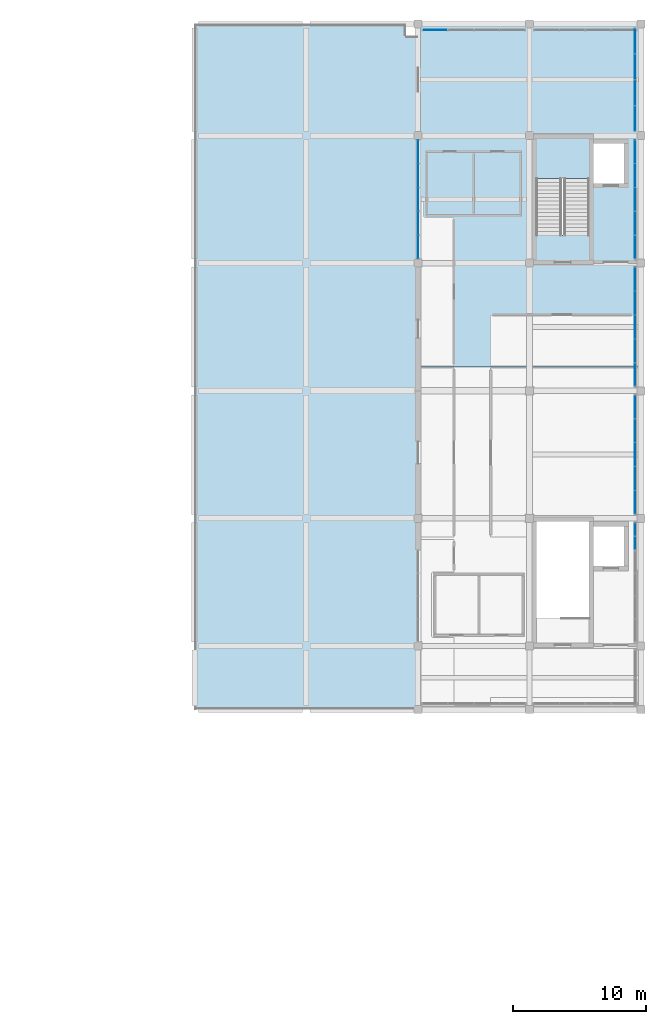
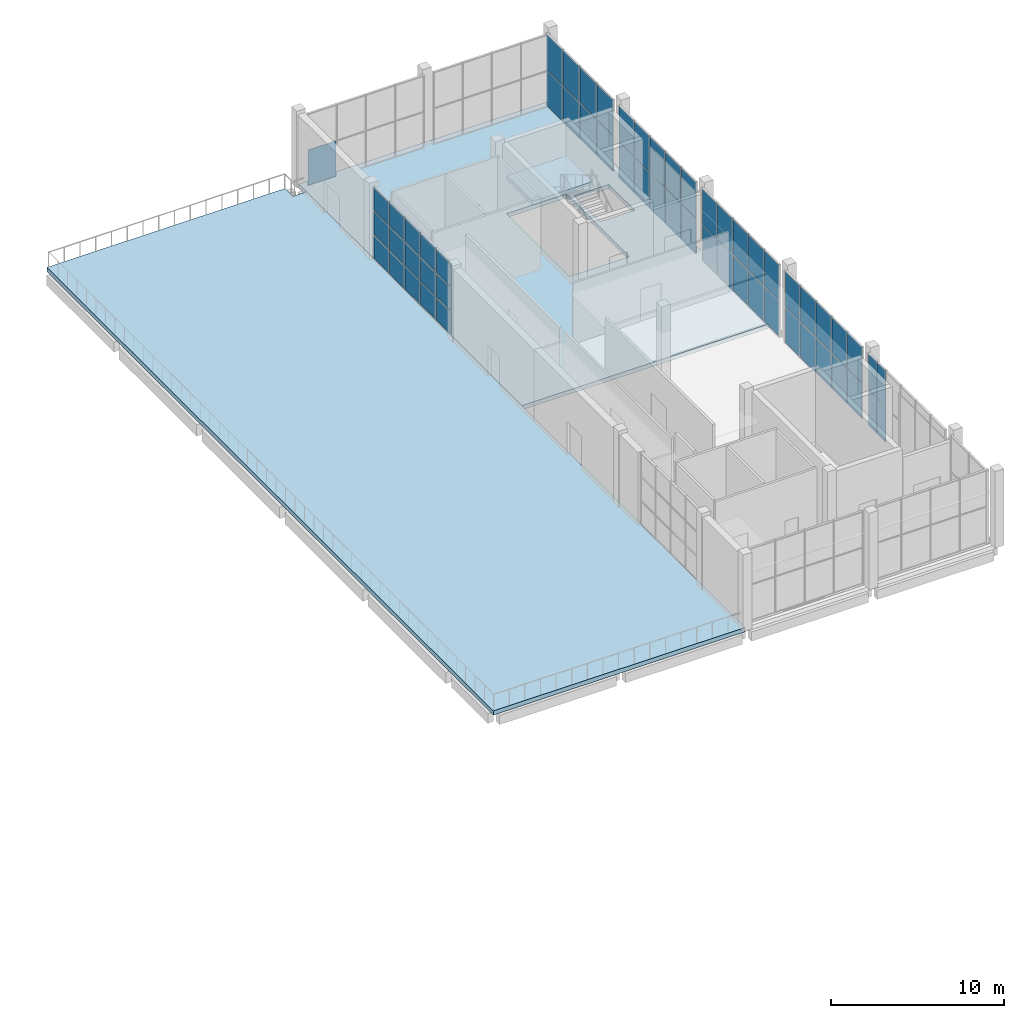
# One storey, part 9 of 15: 58 plates, 3 slabs, 8 elements without a shape of their own.
"""IFC4 building model written with IfcOpenShell, lengths in metres."""

from ifc_helpers import new_model, si_unit, direction, frame, origin, origin_2d, place, context, subcontext, project, spatial, polyline, rectangle, outline, extrude, material, layer, layer_set, type_object, element, aggregate, save


model = new_model("IFC4")

# Units and contexts
model_context = context("Model", 3, precision=1e-05, world=origin(), true_north=direction((0.0, 1.0)))
body_context = subcontext(model_context, "Body", "Model", "MODEL_VIEW")
ifc_project = project(units=[si_unit("LENGTHUNIT", "METRE"), si_unit("AREAUNIT", "SQUARE_METRE"), si_unit("VOLUMEUNIT", "CUBIC_METRE"), si_unit("PLANEANGLEUNIT", "RADIAN"), si_unit("MASSUNIT", "GRAM", prefix="KILO")], contexts=[model_context])

# Site, building, storey
site_placement = place(None, origin())
site = spatial("IfcSite", under=ifc_project, at=site_placement, CompositionType="ELEMENT")
building_placement = place(site_placement, origin())
building = spatial("IfcBuilding", under=site, at=building_placement, Name="Shalvenor Court Art Gallery", CompositionType="ELEMENT")
storey_placement = place(building_placement, frame((0.0, 0.0, 27.0)))
storey = spatial("IfcBuildingStorey", under=building, at=storey_placement, Name="L05", CompositionType="ELEMENT", Elevation=27.0)

# Curtain wall, plates
ifc_material_1 = material(Name="Anodised aluminium and low-iron glass curtain wall", Category="aluminium")
curtain_wall_type_1 = type_object("IfcCurtainWallType", Name="CW-5x3-90-51-122", PredefinedType="USERDEFINED", material=ifc_material_1)
curtain_wall_1_placement = place(storey_placement, origin())
curtain_wall_1 = element("IfcCurtainWall", 1, at=curtain_wall_1_placement, inside=storey, type_object=curtain_wall_type_1, Name="L05 V1 Curtain Wall CW-L05-052", ObjectType="CURTAIN WALL", PredefinedType="USERDEFINED")
ifc_material_2 = material(Name="Low-iron triple-silver solar gallery glazing IGU", Category="glass")
ifc_layer_1 = layer(ifc_material_2, 0.031982421875, Name="Low-iron triple-silver solar gallery glazing IGU")
ifc_layer_set_1 = layer_set([ifc_layer_1], Name="Low-iron triple-silver solar gallery glazing IGU")
plate_type_1 = type_object("IfcPlateType", Name="CWP-02", PredefinedType="CURTAIN_PANEL", material=ifc_layer_set_1)
plate_1_placement = place(storey_placement, frame((159.60009765625, 80.416259765625, 0.06494140625), z_axis=(0.0, 0.0, 1.0), x_axis=(0.0, 1.0, 0.0)))
plate_1 = element("IfcPlate", 2, at=plate_1_placement, type_object=plate_type_1, Name="CW-5x3-90-51-122 panel 1.1", PredefinedType="CURTAIN_PANEL", context=body_context, shape_type="SweptSolid", body=[
    extrude(rectangle(XDim=1.702392578125, YDim=0.031982421875, at=origin_2d()), origin(), (0.0, 0.0, 1.0), 1.61572265625),
])
plate_2_placement = place(storey_placement, frame((159.60009765625, 80.416259765625, 1.745849609375), z_axis=(0.0, 0.0, 1.0), x_axis=(0.0, 1.0, 0.0)))
plate_2 = element("IfcPlate", 3, at=plate_2_placement, type_object=plate_type_1, Name="CW-5x3-90-51-122 panel 1.2", PredefinedType="CURTAIN_PANEL", context=body_context, shape_type="SweptSolid", body=[
    extrude(rectangle(XDim=1.702392578125, YDim=0.031982421875, at=origin_2d()), origin(), (0.0, 0.0, 1.0), 1.6484375),
])
plate_3_placement = place(storey_placement, frame((159.60009765625, 80.416259765625, 3.459228515625), z_axis=(0.0, 0.0, 1.0), x_axis=(0.0, 1.0, 0.0)))
plate_3 = element("IfcPlate", 4, at=plate_3_placement, type_object=plate_type_1, Name="CW-5x3-90-51-122 panel 1.3", PredefinedType="CURTAIN_PANEL", context=body_context, shape_type="SweptSolid", body=[
    extrude(rectangle(XDim=1.702392578125, YDim=0.031982421875, at=origin_2d()), origin(), (0.0, 0.0, 1.0), 1.61572265625),
])
plate_4_placement = place(storey_placement, frame((159.60009765625, 82.199951171875, 0.06494140625), z_axis=(0.0, 0.0, 1.0), x_axis=(0.0, 1.0, 0.0)))
plate_4 = element("IfcPlate", 5, at=plate_4_placement, type_object=plate_type_1, Name="CW-5x3-90-51-122 panel 2.1", PredefinedType="CURTAIN_PANEL", context=body_context, shape_type="SweptSolid", body=[
    extrude(rectangle(XDim=1.735107421875, YDim=0.031982421875, at=origin_2d()), origin(), (0.0, 0.0, 1.0), 1.61572265625),
])
plate_5_placement = place(storey_placement, frame((159.60009765625, 82.199951171875, 1.745849609375), z_axis=(0.0, 0.0, 1.0), x_axis=(0.0, 1.0, 0.0)))
plate_5 = element("IfcPlate", 6, at=plate_5_placement, type_object=plate_type_1, Name="CW-5x3-90-51-122 panel 2.2", PredefinedType="CURTAIN_PANEL", context=body_context, shape_type="SweptSolid", body=[
    extrude(rectangle(XDim=1.735107421875, YDim=0.031982421875, at=origin_2d()), origin(), (0.0, 0.0, 1.0), 1.6484375),
])
plate_6_placement = place(storey_placement, frame((159.60009765625, 82.199951171875, 3.459228515625), z_axis=(0.0, 0.0, 1.0), x_axis=(0.0, 1.0, 0.0)))
plate_6 = element("IfcPlate", 7, at=plate_6_placement, type_object=plate_type_1, Name="CW-5x3-90-51-122 panel 2.3", PredefinedType="CURTAIN_PANEL", context=body_context, shape_type="SweptSolid", body=[
    extrude(rectangle(XDim=1.735107421875, YDim=0.031982421875, at=origin_2d()), origin(), (0.0, 0.0, 1.0), 1.61572265625),
])
plate_7_placement = place(storey_placement, frame((159.60009765625, 84.0, 0.06494140625), z_axis=(0.0, 0.0, 1.0), x_axis=(0.0, 1.0, 0.0)))
plate_7 = element("IfcPlate", 8, at=plate_7_placement, type_object=plate_type_1, Name="CW-5x3-90-51-122 panel 3.1", PredefinedType="CURTAIN_PANEL", context=body_context, shape_type="SweptSolid", body=[
    extrude(rectangle(XDim=1.735107421875, YDim=0.031982421875, at=origin_2d()), origin(), (0.0, 0.0, 1.0), 1.61572265625),
])
plate_8_placement = place(storey_placement, frame((159.60009765625, 84.0, 1.745849609375), z_axis=(0.0, 0.0, 1.0), x_axis=(0.0, 1.0, 0.0)))
plate_8 = element("IfcPlate", 9, at=plate_8_placement, type_object=plate_type_1, Name="CW-5x3-90-51-122 panel 3.2", PredefinedType="CURTAIN_PANEL", context=body_context, shape_type="SweptSolid", body=[
    extrude(rectangle(XDim=1.735107421875, YDim=0.031982421875, at=origin_2d()), origin(), (0.0, 0.0, 1.0), 1.6484375),
])
plate_9_placement = place(storey_placement, frame((159.60009765625, 84.0, 3.459228515625), z_axis=(0.0, 0.0, 1.0), x_axis=(0.0, 1.0, 0.0)))
plate_9 = element("IfcPlate", 10, at=plate_9_placement, type_object=plate_type_1, Name="CW-5x3-90-51-122 panel 3.3", PredefinedType="CURTAIN_PANEL", context=body_context, shape_type="SweptSolid", body=[
    extrude(rectangle(XDim=1.735107421875, YDim=0.031982421875, at=origin_2d()), origin(), (0.0, 0.0, 1.0), 1.61572265625),
])
plate_10_placement = place(storey_placement, frame((159.60009765625, 85.800048828125, 0.06494140625), z_axis=(0.0, 0.0, 1.0), x_axis=(0.0, 1.0, 0.0)))
plate_10 = element("IfcPlate", 11, at=plate_10_placement, type_object=plate_type_1, Name="CW-5x3-90-51-122 panel 4.1", PredefinedType="CURTAIN_PANEL", context=body_context, shape_type="SweptSolid", body=[
    extrude(rectangle(XDim=1.735107421875, YDim=0.031982421875, at=origin_2d()), origin(), (0.0, 0.0, 1.0), 1.61572265625),
])
plate_11_placement = place(storey_placement, frame((159.60009765625, 85.800048828125, 1.745849609375), z_axis=(0.0, 0.0, 1.0), x_axis=(0.0, 1.0, 0.0)))
plate_11 = element("IfcPlate", 12, at=plate_11_placement, type_object=plate_type_1, Name="CW-5x3-90-51-122 panel 4.2", PredefinedType="CURTAIN_PANEL", context=body_context, shape_type="SweptSolid", body=[
    extrude(rectangle(XDim=1.735107421875, YDim=0.031982421875, at=origin_2d()), origin(), (0.0, 0.0, 1.0), 1.6484375),
])
plate_12_placement = place(storey_placement, frame((159.60009765625, 85.800048828125, 3.459228515625), z_axis=(0.0, 0.0, 1.0), x_axis=(0.0, 1.0, 0.0)))
plate_12 = element("IfcPlate", 13, at=plate_12_placement, type_object=plate_type_1, Name="CW-5x3-90-51-122 panel 4.3", PredefinedType="CURTAIN_PANEL", context=body_context, shape_type="SweptSolid", body=[
    extrude(rectangle(XDim=1.735107421875, YDim=0.031982421875, at=origin_2d()), origin(), (0.0, 0.0, 1.0), 1.61572265625),
])
plate_13_placement = place(storey_placement, frame((159.60009765625, 87.583740234375, 0.06494140625), z_axis=(0.0, 0.0, 1.0), x_axis=(0.0, 1.0, 0.0)))
plate_13 = element("IfcPlate", 14, at=plate_13_placement, type_object=plate_type_1, Name="CW-5x3-90-51-122 panel 5.1", PredefinedType="CURTAIN_PANEL", context=body_context, shape_type="SweptSolid", body=[
    extrude(rectangle(XDim=1.702392578125, YDim=0.031982421875, at=origin_2d()), origin(), (0.0, 0.0, 1.0), 1.61572265625),
])
plate_14_placement = place(storey_placement, frame((159.60009765625, 87.583740234375, 1.745849609375), z_axis=(0.0, 0.0, 1.0), x_axis=(0.0, 1.0, 0.0)))
plate_14 = element("IfcPlate", 15, at=plate_14_placement, type_object=plate_type_1, Name="CW-5x3-90-51-122 panel 5.2", PredefinedType="CURTAIN_PANEL", context=body_context, shape_type="SweptSolid", body=[
    extrude(rectangle(XDim=1.702392578125, YDim=0.031982421875, at=origin_2d()), origin(), (0.0, 0.0, 1.0), 1.6484375),
])
plate_15_placement = place(storey_placement, frame((159.60009765625, 87.583740234375, 3.459228515625), z_axis=(0.0, 0.0, 1.0), x_axis=(0.0, 1.0, 0.0)))
plate_15 = element("IfcPlate", 16, at=plate_15_placement, type_object=plate_type_1, Name="CW-5x3-90-51-122 panel 5.3", PredefinedType="CURTAIN_PANEL", context=body_context, shape_type="SweptSolid", body=[
    extrude(rectangle(XDim=1.702392578125, YDim=0.031982421875, at=origin_2d()), origin(), (0.0, 0.0, 1.0), 1.61572265625),
])
aggregate(curtain_wall_1, [plate_1, plate_2, plate_3, plate_4, plate_5, plate_6, plate_7, plate_8, plate_9, plate_10, plate_11, plate_12, plate_13, plate_14, plate_15])

# Curtain wall, plate
ifc_material_3 = material(Name="Anodised aluminium and low-iron glass curtain wall", Category="aluminium")
curtain_wall_type_2 = type_object("IfcCurtainWallType", Name="CW-CLR-4-78", PredefinedType="USERDEFINED", material=ifc_material_3)
curtain_wall_2_placement = place(storey_placement, origin())
curtain_wall_2 = element("IfcCurtainWall", 17, at=curtain_wall_2_placement, inside=storey, type_object=curtain_wall_type_2, Name="L05 Dark Clerestory Curtain Wall CW-L05-040", ObjectType="CURTAIN WALL", PredefinedType="USERDEFINED")
ifc_material_4 = material(Name="Dark bronze fritted clerestory glazing IGU", Category="glass")
ifc_layer_2 = layer(ifc_material_4, 0.035888671875, Name="Dark bronze fritted clerestory glazing IGU")
ifc_layer_set_2 = layer_set([ifc_layer_2], Name="Dark bronze fritted clerestory glazing IGU")
plate_type_2 = type_object("IfcPlateType", Name="CWP-03", PredefinedType="CURTAIN_PANEL", material=ifc_layer_set_2)
plate_16_placement = place(storey_placement, frame((160.889892578125, 96.75, 0.05517578125), z_axis=(0.0, 0.0, 1.0), x_axis=(1.0, 0.0, 0.0)))
plate_16 = element("IfcPlate", 18, at=plate_16_placement, type_object=plate_type_2, Name="CW-CLR-4-78 panel 1.1", PredefinedType="CURTAIN_PANEL", context=body_context, shape_type="SweptSolid", body=[
    extrude(rectangle(XDim=1.860107421875, YDim=0.035888671875, at=origin_2d()), origin(), (0.0, 0.0, 1.0), 2.487548828125),
])
aggregate(curtain_wall_2, [plate_16])

# Curtain wall, plates
curtain_wall_3_placement = place(storey_placement, origin())
curtain_wall_3 = element("IfcCurtainWall", 19, at=curtain_wall_3_placement, inside=storey, type_object=curtain_wall_type_2, Name="L05 Dark Clerestory Curtain Wall CW-L05-042", ObjectType="CURTAIN WALL", PredefinedType="USERDEFINED")
plate_17_placement = place(storey_placement, frame((175.949951171875, 95.909912109375, 0.05517578125), z_axis=(0.0, 0.0, 1.0), x_axis=(0.0, -1.0, 0.0)))
plate_17 = element("IfcPlate", 20, at=plate_17_placement, type_object=plate_type_2, Name="CW-CLR-4-78 panel 1.1", PredefinedType="CURTAIN_PANEL", context=body_context, shape_type="SweptSolid", body=[
    extrude(rectangle(XDim=1.860107421875, YDim=0.035888671875, at=origin_2d()), origin(), (0.0, 0.0, 1.0), 2.487548828125),
])
plate_18_placement = place(storey_placement, frame((175.949951171875, 95.909912109375, 2.59765625), z_axis=(0.0, 0.0, 1.0), x_axis=(0.0, -1.0, 0.0)))
plate_18 = element("IfcPlate", 21, at=plate_18_placement, type_object=plate_type_2, Name="CW-CLR-4-78 panel 1.2", PredefinedType="CURTAIN_PANEL", context=body_context, shape_type="SweptSolid", body=[
    extrude(rectangle(XDim=1.860107421875, YDim=0.035888671875, at=origin_2d()), origin(), (0.0, 0.0, 1.0), 2.487548828125),
])
plate_19_placement = place(storey_placement, frame((175.949951171875, 93.97509765625, 0.05517578125), z_axis=(0.0, 0.0, 1.0), x_axis=(0.0, -1.0, 0.0)))
plate_19 = element("IfcPlate", 22, at=plate_19_placement, type_object=plate_type_2, Name="CW-CLR-4-78 panel 2.1", PredefinedType="CURTAIN_PANEL", context=body_context, shape_type="SweptSolid", body=[
    extrude(rectangle(XDim=1.889892578125, YDim=0.035888671875, at=origin_2d()), origin(), (0.0, 0.0, 1.0), 2.487548828125),
])
plate_20_placement = place(storey_placement, frame((175.949951171875, 93.97509765625, 2.59765625), z_axis=(0.0, 0.0, 1.0), x_axis=(0.0, -1.0, 0.0)))
plate_20 = element("IfcPlate", 23, at=plate_20_placement, type_object=plate_type_2, Name="CW-CLR-4-78 panel 2.2", PredefinedType="CURTAIN_PANEL", context=body_context, shape_type="SweptSolid", body=[
    extrude(rectangle(XDim=1.889892578125, YDim=0.035888671875, at=origin_2d()), origin(), (0.0, 0.0, 1.0), 2.487548828125),
])
plate_21_placement = place(storey_placement, frame((175.949951171875, 92.02490234375, 0.05517578125), z_axis=(0.0, 0.0, 1.0), x_axis=(0.0, -1.0, 0.0)))
plate_21 = element("IfcPlate", 24, at=plate_21_placement, type_object=plate_type_2, Name="CW-CLR-4-78 panel 3.1", PredefinedType="CURTAIN_PANEL", context=body_context, shape_type="SweptSolid", body=[
    extrude(rectangle(XDim=1.889892578125, YDim=0.035888671875, at=origin_2d()), origin(), (0.0, 0.0, 1.0), 2.487548828125),
])
plate_22_placement = place(storey_placement, frame((175.949951171875, 92.02490234375, 2.59765625), z_axis=(0.0, 0.0, 1.0), x_axis=(0.0, -1.0, 0.0)))
plate_22 = element("IfcPlate", 25, at=plate_22_placement, type_object=plate_type_2, Name="CW-CLR-4-78 panel 3.2", PredefinedType="CURTAIN_PANEL", context=body_context, shape_type="SweptSolid", body=[
    extrude(rectangle(XDim=1.889892578125, YDim=0.035888671875, at=origin_2d()), origin(), (0.0, 0.0, 1.0), 2.487548828125),
])
plate_23_placement = place(storey_placement, frame((175.949951171875, 90.090087890625, 0.05517578125), z_axis=(0.0, 0.0, 1.0), x_axis=(0.0, -1.0, 0.0)))
plate_23 = element("IfcPlate", 26, at=plate_23_placement, type_object=plate_type_2, Name="CW-CLR-4-78 panel 4.1", PredefinedType="CURTAIN_PANEL", context=body_context, shape_type="SweptSolid", body=[
    extrude(rectangle(XDim=1.860107421875, YDim=0.035888671875, at=origin_2d()), origin(), (0.0, 0.0, 1.0), 2.487548828125),
])
plate_24_placement = place(storey_placement, frame((175.949951171875, 90.090087890625, 2.59765625), z_axis=(0.0, 0.0, 1.0), x_axis=(0.0, -1.0, 0.0)))
plate_24 = element("IfcPlate", 27, at=plate_24_placement, type_object=plate_type_2, Name="CW-CLR-4-78 panel 4.2", PredefinedType="CURTAIN_PANEL", context=body_context, shape_type="SweptSolid", body=[
    extrude(rectangle(XDim=1.860107421875, YDim=0.035888671875, at=origin_2d()), origin(), (0.0, 0.0, 1.0), 2.487548828125),
])
aggregate(curtain_wall_3, [plate_17, plate_18, plate_19, plate_20, plate_21, plate_22, plate_23, plate_24])

ifc_material_5 = material(Name="Anodised aluminium and low-iron glass curtain wall", Category="aluminium")
curtain_wall_type_3 = type_object("IfcCurtainWallType", Name="CW-CLR-5-90", PredefinedType="USERDEFINED", material=ifc_material_5)
curtain_wall_4_placement = place(storey_placement, origin())
curtain_wall_4 = element("IfcCurtainWall", 28, at=curtain_wall_4_placement, inside=storey, type_object=curtain_wall_type_3, Name="L05 Dark Clerestory Curtain Wall CW-L05-043", ObjectType="CURTAIN WALL", PredefinedType="USERDEFINED")
plate_25_placement = place(storey_placement, frame((175.949951171875, 87.5849609375, 0.05517578125), z_axis=(0.0, 0.0, 1.0), x_axis=(0.0, -1.0, 0.0)))
plate_25 = element("IfcPlate", 29, at=plate_25_placement, type_object=plate_type_2, Name="CW-CLR-5-90 panel 1.1", PredefinedType="CURTAIN_PANEL", context=body_context, shape_type="SweptSolid", body=[
    extrude(rectangle(XDim=1.7099609375, YDim=0.035888671875, at=origin_2d()), origin(), (0.0, 0.0, 1.0), 2.487548828125),
])
plate_26_placement = place(storey_placement, frame((175.949951171875, 87.5849609375, 2.59765625), z_axis=(0.0, 0.0, 1.0), x_axis=(0.0, -1.0, 0.0)))
plate_26 = element("IfcPlate", 30, at=plate_26_placement, type_object=plate_type_2, Name="CW-CLR-5-90 panel 1.2", PredefinedType="CURTAIN_PANEL", context=body_context, shape_type="SweptSolid", body=[
    extrude(rectangle(XDim=1.7099609375, YDim=0.035888671875, at=origin_2d()), origin(), (0.0, 0.0, 1.0), 2.487548828125),
])
plate_27_placement = place(storey_placement, frame((175.949951171875, 85.800048828125, 0.05517578125), z_axis=(0.0, 0.0, 1.0), x_axis=(0.0, -1.0, 0.0)))
plate_27 = element("IfcPlate", 31, at=plate_27_placement, type_object=plate_type_2, Name="CW-CLR-5-90 panel 2.1", PredefinedType="CURTAIN_PANEL", context=body_context, shape_type="SweptSolid", body=[
    extrude(rectangle(XDim=1.739990234375, YDim=0.035888671875, at=origin_2d()), origin(), (0.0, 0.0, 1.0), 2.487548828125),
])
plate_28_placement = place(storey_placement, frame((175.949951171875, 85.800048828125, 2.59765625), z_axis=(0.0, 0.0, 1.0), x_axis=(0.0, -1.0, 0.0)))
plate_28 = element("IfcPlate", 32, at=plate_28_placement, type_object=plate_type_2, Name="CW-CLR-5-90 panel 2.2", PredefinedType="CURTAIN_PANEL", context=body_context, shape_type="SweptSolid", body=[
    extrude(rectangle(XDim=1.739990234375, YDim=0.035888671875, at=origin_2d()), origin(), (0.0, 0.0, 1.0), 2.487548828125),
])
plate_29_placement = place(storey_placement, frame((175.949951171875, 84.0, 0.05517578125), z_axis=(0.0, 0.0, 1.0), x_axis=(0.0, -1.0, 0.0)))
plate_29 = element("IfcPlate", 33, at=plate_29_placement, type_object=plate_type_2, Name="CW-CLR-5-90 panel 3.1", PredefinedType="CURTAIN_PANEL", context=body_context, shape_type="SweptSolid", body=[
    extrude(rectangle(XDim=1.739990234375, YDim=0.035888671875, at=origin_2d()), origin(), (0.0, 0.0, 1.0), 2.487548828125),
])
plate_30_placement = place(storey_placement, frame((175.949951171875, 84.0, 2.59765625), z_axis=(0.0, 0.0, 1.0), x_axis=(0.0, -1.0, 0.0)))
plate_30 = element("IfcPlate", 34, at=plate_30_placement, type_object=plate_type_2, Name="CW-CLR-5-90 panel 3.2", PredefinedType="CURTAIN_PANEL", context=body_context, shape_type="SweptSolid", body=[
    extrude(rectangle(XDim=1.739990234375, YDim=0.035888671875, at=origin_2d()), origin(), (0.0, 0.0, 1.0), 2.487548828125),
])
plate_31_placement = place(storey_placement, frame((175.949951171875, 82.199951171875, 0.05517578125), z_axis=(0.0, 0.0, 1.0), x_axis=(0.0, -1.0, 0.0)))
plate_31 = element("IfcPlate", 35, at=plate_31_placement, type_object=plate_type_2, Name="CW-CLR-5-90 panel 4.1", PredefinedType="CURTAIN_PANEL", context=body_context, shape_type="SweptSolid", body=[
    extrude(rectangle(XDim=1.739990234375, YDim=0.035888671875, at=origin_2d()), origin(), (0.0, 0.0, 1.0), 2.487548828125),
])
plate_32_placement = place(storey_placement, frame((175.949951171875, 82.199951171875, 2.59765625), z_axis=(0.0, 0.0, 1.0), x_axis=(0.0, -1.0, 0.0)))
plate_32 = element("IfcPlate", 36, at=plate_32_placement, type_object=plate_type_2, Name="CW-CLR-5-90 panel 4.2", PredefinedType="CURTAIN_PANEL", context=body_context, shape_type="SweptSolid", body=[
    extrude(rectangle(XDim=1.739990234375, YDim=0.035888671875, at=origin_2d()), origin(), (0.0, 0.0, 1.0), 2.487548828125),
])
plate_33_placement = place(storey_placement, frame((175.949951171875, 80.4150390625, 0.05517578125), z_axis=(0.0, 0.0, 1.0), x_axis=(0.0, -1.0, 0.0)))
plate_33 = element("IfcPlate", 37, at=plate_33_placement, type_object=plate_type_2, Name="CW-CLR-5-90 panel 5.1", PredefinedType="CURTAIN_PANEL", context=body_context, shape_type="SweptSolid", body=[
    extrude(rectangle(XDim=1.7099609375, YDim=0.035888671875, at=origin_2d()), origin(), (0.0, 0.0, 1.0), 2.487548828125),
])
plate_34_placement = place(storey_placement, frame((175.949951171875, 80.4150390625, 2.59765625), z_axis=(0.0, 0.0, 1.0), x_axis=(0.0, -1.0, 0.0)))
plate_34 = element("IfcPlate", 38, at=plate_34_placement, type_object=plate_type_2, Name="CW-CLR-5-90 panel 5.2", PredefinedType="CURTAIN_PANEL", context=body_context, shape_type="SweptSolid", body=[
    extrude(rectangle(XDim=1.7099609375, YDim=0.035888671875, at=origin_2d()), origin(), (0.0, 0.0, 1.0), 2.487548828125),
])
aggregate(curtain_wall_4, [plate_25, plate_26, plate_27, plate_28, plate_29, plate_30, plate_31, plate_32, plate_33, plate_34])

curtain_wall_5_placement = place(storey_placement, origin())
curtain_wall_5 = element("IfcCurtainWall", 39, at=curtain_wall_5_placement, inside=storey, type_object=curtain_wall_type_3, Name="L05 Dark Clerestory Curtain Wall CW-L05-044", ObjectType="CURTAIN WALL", PredefinedType="USERDEFINED")
plate_35_placement = place(storey_placement, frame((175.949951171875, 77.985107421875, 0.05517578125), z_axis=(0.0, 0.0, 1.0), x_axis=(0.0, -1.0, 0.0)))
plate_35 = element("IfcPlate", 40, at=plate_35_placement, type_object=plate_type_2, Name="CW-CLR-5-90 panel 1.1", PredefinedType="CURTAIN_PANEL", context=body_context, shape_type="SweptSolid", body=[
    extrude(rectangle(XDim=1.7099609375, YDim=0.035888671875, at=origin_2d()), origin(), (0.0, 0.0, 1.0), 2.487548828125),
])
plate_36_placement = place(storey_placement, frame((175.949951171875, 77.985107421875, 2.59765625), z_axis=(0.0, 0.0, 1.0), x_axis=(0.0, -1.0, 0.0)))
plate_36 = element("IfcPlate", 41, at=plate_36_placement, type_object=plate_type_2, Name="CW-CLR-5-90 panel 1.2", PredefinedType="CURTAIN_PANEL", context=body_context, shape_type="SweptSolid", body=[
    extrude(rectangle(XDim=1.7099609375, YDim=0.035888671875, at=origin_2d()), origin(), (0.0, 0.0, 1.0), 2.487548828125),
])
plate_37_placement = place(storey_placement, frame((175.949951171875, 76.199951171875, 0.05517578125), z_axis=(0.0, 0.0, 1.0), x_axis=(0.0, -1.0, 0.0)))
plate_37 = element("IfcPlate", 42, at=plate_37_placement, type_object=plate_type_2, Name="CW-CLR-5-90 panel 2.1", PredefinedType="CURTAIN_PANEL", context=body_context, shape_type="SweptSolid", body=[
    extrude(rectangle(XDim=1.739990234375, YDim=0.035888671875, at=origin_2d()), origin(), (0.0, 0.0, 1.0), 2.487548828125),
])
plate_38_placement = place(storey_placement, frame((175.949951171875, 76.199951171875, 2.59765625), z_axis=(0.0, 0.0, 1.0), x_axis=(0.0, -1.0, 0.0)))
plate_38 = element("IfcPlate", 43, at=plate_38_placement, type_object=plate_type_2, Name="CW-CLR-5-90 panel 2.2", PredefinedType="CURTAIN_PANEL", context=body_context, shape_type="SweptSolid", body=[
    extrude(rectangle(XDim=1.739990234375, YDim=0.035888671875, at=origin_2d()), origin(), (0.0, 0.0, 1.0), 2.487548828125),
])
plate_39_placement = place(storey_placement, frame((175.949951171875, 74.39990234375, 0.05517578125), z_axis=(0.0, 0.0, 1.0), x_axis=(0.0, -1.0, 0.0)))
plate_39 = element("IfcPlate", 44, at=plate_39_placement, type_object=plate_type_2, Name="CW-CLR-5-90 panel 3.1", PredefinedType="CURTAIN_PANEL", context=body_context, shape_type="SweptSolid", body=[
    extrude(rectangle(XDim=1.739990234375, YDim=0.035888671875, at=origin_2d()), origin(), (0.0, 0.0, 1.0), 2.487548828125),
])
plate_40_placement = place(storey_placement, frame((175.949951171875, 74.39990234375, 2.59765625), z_axis=(0.0, 0.0, 1.0), x_axis=(0.0, -1.0, 0.0)))
plate_40 = element("IfcPlate", 45, at=plate_40_placement, type_object=plate_type_2, Name="CW-CLR-5-90 panel 3.2", PredefinedType="CURTAIN_PANEL", context=body_context, shape_type="SweptSolid", body=[
    extrude(rectangle(XDim=1.739990234375, YDim=0.035888671875, at=origin_2d()), origin(), (0.0, 0.0, 1.0), 2.487548828125),
])
plate_41_placement = place(storey_placement, frame((175.949951171875, 72.60009765625, 0.05517578125), z_axis=(0.0, 0.0, 1.0), x_axis=(0.0, -1.0, 0.0)))
plate_41 = element("IfcPlate", 46, at=plate_41_placement, type_object=plate_type_2, Name="CW-CLR-5-90 panel 4.1", PredefinedType="CURTAIN_PANEL", context=body_context, shape_type="SweptSolid", body=[
    extrude(rectangle(XDim=1.739990234375, YDim=0.035888671875, at=origin_2d()), origin(), (0.0, 0.0, 1.0), 2.487548828125),
])
plate_42_placement = place(storey_placement, frame((175.949951171875, 72.60009765625, 2.59765625), z_axis=(0.0, 0.0, 1.0), x_axis=(0.0, -1.0, 0.0)))
plate_42 = element("IfcPlate", 47, at=plate_42_placement, type_object=plate_type_2, Name="CW-CLR-5-90 panel 4.2", PredefinedType="CURTAIN_PANEL", context=body_context, shape_type="SweptSolid", body=[
    extrude(rectangle(XDim=1.739990234375, YDim=0.035888671875, at=origin_2d()), origin(), (0.0, 0.0, 1.0), 2.487548828125),
])
plate_43_placement = place(storey_placement, frame((175.949951171875, 70.81494140625, 0.05517578125), z_axis=(0.0, 0.0, 1.0), x_axis=(0.0, -1.0, 0.0)))
plate_43 = element("IfcPlate", 48, at=plate_43_placement, type_object=plate_type_2, Name="CW-CLR-5-90 panel 5.1", PredefinedType="CURTAIN_PANEL", context=body_context, shape_type="SweptSolid", body=[
    extrude(rectangle(XDim=1.7099609375, YDim=0.035888671875, at=origin_2d()), origin(), (0.0, 0.0, 1.0), 2.487548828125),
])
plate_44_placement = place(storey_placement, frame((175.949951171875, 70.81494140625, 2.59765625), z_axis=(0.0, 0.0, 1.0), x_axis=(0.0, -1.0, 0.0)))
plate_44 = element("IfcPlate", 49, at=plate_44_placement, type_object=plate_type_2, Name="CW-CLR-5-90 panel 5.2", PredefinedType="CURTAIN_PANEL", context=body_context, shape_type="SweptSolid", body=[
    extrude(rectangle(XDim=1.7099609375, YDim=0.035888671875, at=origin_2d()), origin(), (0.0, 0.0, 1.0), 2.487548828125),
])
aggregate(curtain_wall_5, [plate_35, plate_36, plate_37, plate_38, plate_39, plate_40, plate_41, plate_42, plate_43, plate_44])

curtain_wall_6_placement = place(storey_placement, origin())
curtain_wall_6 = element("IfcCurtainWall", 50, at=curtain_wall_6_placement, inside=storey, type_object=curtain_wall_type_3, Name="L05 Dark Clerestory Curtain Wall CW-L05-045", ObjectType="CURTAIN WALL", PredefinedType="USERDEFINED")
plate_45_placement = place(storey_placement, frame((175.949951171875, 68.385009765625, 0.05517578125), z_axis=(0.0, 0.0, 1.0), x_axis=(0.0, -1.0, 0.0)))
plate_45 = element("IfcPlate", 51, at=plate_45_placement, type_object=plate_type_2, Name="CW-CLR-5-90 panel 1.1", PredefinedType="CURTAIN_PANEL", context=body_context, shape_type="SweptSolid", body=[
    extrude(rectangle(XDim=1.7099609375, YDim=0.035888671875, at=origin_2d()), origin(), (0.0, 0.0, 1.0), 2.487548828125),
])
plate_46_placement = place(storey_placement, frame((175.949951171875, 68.385009765625, 2.59765625), z_axis=(0.0, 0.0, 1.0), x_axis=(0.0, -1.0, 0.0)))
plate_46 = element("IfcPlate", 52, at=plate_46_placement, type_object=plate_type_2, Name="CW-CLR-5-90 panel 1.2", PredefinedType="CURTAIN_PANEL", context=body_context, shape_type="SweptSolid", body=[
    extrude(rectangle(XDim=1.7099609375, YDim=0.035888671875, at=origin_2d()), origin(), (0.0, 0.0, 1.0), 2.487548828125),
])
plate_47_placement = place(storey_placement, frame((175.949951171875, 66.60009765625, 0.05517578125), z_axis=(0.0, 0.0, 1.0), x_axis=(0.0, -1.0, 0.0)))
plate_47 = element("IfcPlate", 53, at=plate_47_placement, type_object=plate_type_2, Name="CW-CLR-5-90 panel 2.1", PredefinedType="CURTAIN_PANEL", context=body_context, shape_type="SweptSolid", body=[
    extrude(rectangle(XDim=1.739990234375, YDim=0.035888671875, at=origin_2d()), origin(), (0.0, 0.0, 1.0), 2.487548828125),
])
plate_48_placement = place(storey_placement, frame((175.949951171875, 66.60009765625, 2.59765625), z_axis=(0.0, 0.0, 1.0), x_axis=(0.0, -1.0, 0.0)))
plate_48 = element("IfcPlate", 54, at=plate_48_placement, type_object=plate_type_2, Name="CW-CLR-5-90 panel 2.2", PredefinedType="CURTAIN_PANEL", context=body_context, shape_type="SweptSolid", body=[
    extrude(rectangle(XDim=1.739990234375, YDim=0.035888671875, at=origin_2d()), origin(), (0.0, 0.0, 1.0), 2.487548828125),
])
plate_49_placement = place(storey_placement, frame((175.949951171875, 64.800048828125, 0.05517578125), z_axis=(0.0, 0.0, 1.0), x_axis=(0.0, -1.0, 0.0)))
plate_49 = element("IfcPlate", 55, at=plate_49_placement, type_object=plate_type_2, Name="CW-CLR-5-90 panel 3.1", PredefinedType="CURTAIN_PANEL", context=body_context, shape_type="SweptSolid", body=[
    extrude(rectangle(XDim=1.739990234375, YDim=0.035888671875, at=origin_2d()), origin(), (0.0, 0.0, 1.0), 2.487548828125),
])
plate_50_placement = place(storey_placement, frame((175.949951171875, 64.800048828125, 2.59765625), z_axis=(0.0, 0.0, 1.0), x_axis=(0.0, -1.0, 0.0)))
plate_50 = element("IfcPlate", 56, at=plate_50_placement, type_object=plate_type_2, Name="CW-CLR-5-90 panel 3.2", PredefinedType="CURTAIN_PANEL", context=body_context, shape_type="SweptSolid", body=[
    extrude(rectangle(XDim=1.739990234375, YDim=0.035888671875, at=origin_2d()), origin(), (0.0, 0.0, 1.0), 2.487548828125),
])
plate_51_placement = place(storey_placement, frame((175.949951171875, 63.0, 0.05517578125), z_axis=(0.0, 0.0, 1.0), x_axis=(0.0, -1.0, 0.0)))
plate_51 = element("IfcPlate", 57, at=plate_51_placement, type_object=plate_type_2, Name="CW-CLR-5-90 panel 4.1", PredefinedType="CURTAIN_PANEL", context=body_context, shape_type="SweptSolid", body=[
    extrude(rectangle(XDim=1.739990234375, YDim=0.035888671875, at=origin_2d()), origin(), (0.0, 0.0, 1.0), 2.487548828125),
])
plate_52_placement = place(storey_placement, frame((175.949951171875, 63.0, 2.59765625), z_axis=(0.0, 0.0, 1.0), x_axis=(0.0, -1.0, 0.0)))
plate_52 = element("IfcPlate", 58, at=plate_52_placement, type_object=plate_type_2, Name="CW-CLR-5-90 panel 4.2", PredefinedType="CURTAIN_PANEL", context=body_context, shape_type="SweptSolid", body=[
    extrude(rectangle(XDim=1.739990234375, YDim=0.035888671875, at=origin_2d()), origin(), (0.0, 0.0, 1.0), 2.487548828125),
])
plate_53_placement = place(storey_placement, frame((175.949951171875, 61.215087890625, 0.05517578125), z_axis=(0.0, 0.0, 1.0), x_axis=(0.0, -1.0, 0.0)))
plate_53 = element("IfcPlate", 59, at=plate_53_placement, type_object=plate_type_2, Name="CW-CLR-5-90 panel 5.1", PredefinedType="CURTAIN_PANEL", context=body_context, shape_type="SweptSolid", body=[
    extrude(rectangle(XDim=1.7099609375, YDim=0.035888671875, at=origin_2d()), origin(), (0.0, 0.0, 1.0), 2.487548828125),
])
plate_54_placement = place(storey_placement, frame((175.949951171875, 61.215087890625, 2.59765625), z_axis=(0.0, 0.0, 1.0), x_axis=(0.0, -1.0, 0.0)))
plate_54 = element("IfcPlate", 60, at=plate_54_placement, type_object=plate_type_2, Name="CW-CLR-5-90 panel 5.2", PredefinedType="CURTAIN_PANEL", context=body_context, shape_type="SweptSolid", body=[
    extrude(rectangle(XDim=1.7099609375, YDim=0.035888671875, at=origin_2d()), origin(), (0.0, 0.0, 1.0), 2.487548828125),
])
aggregate(curtain_wall_6, [plate_45, plate_46, plate_47, plate_48, plate_49, plate_50, plate_51, plate_52, plate_53, plate_54])

ifc_material_6 = material(Name="Anodised aluminium and low-iron glass curtain wall", Category="aluminium")
curtain_wall_type_4 = type_object("IfcCurtainWallType", Name="CW-CLR-2-21", PredefinedType="USERDEFINED", material=ifc_material_6)
curtain_wall_7_placement = place(storey_placement, origin())
curtain_wall_7 = element("IfcCurtainWall", 61, at=curtain_wall_7_placement, inside=storey, type_object=curtain_wall_type_4, Name="L05 Dark Clerestory Curtain Wall CW-L05-046", ObjectType="CURTAIN WALL", PredefinedType="USERDEFINED")
plate_55_placement = place(storey_placement, frame((175.949951171875, 59.159912109375, 0.05517578125), z_axis=(0.0, 0.0, 1.0), x_axis=(0.0, -1.0, 0.0)))
plate_55 = element("IfcPlate", 62, at=plate_55_placement, type_object=plate_type_2, Name="CW-CLR-2-21 panel 1.1", PredefinedType="CURTAIN_PANEL", context=body_context, shape_type="SweptSolid", body=[
    extrude(rectangle(XDim=0.9599609375, YDim=0.035888671875, at=origin_2d()), origin(), (0.0, 0.0, 1.0), 2.487548828125),
])
plate_56_placement = place(storey_placement, frame((175.949951171875, 59.159912109375, 2.59765625), z_axis=(0.0, 0.0, 1.0), x_axis=(0.0, -1.0, 0.0)))
plate_56 = element("IfcPlate", 63, at=plate_56_placement, type_object=plate_type_2, Name="CW-CLR-2-21 panel 1.2", PredefinedType="CURTAIN_PANEL", context=body_context, shape_type="SweptSolid", body=[
    extrude(rectangle(XDim=0.9599609375, YDim=0.035888671875, at=origin_2d()), origin(), (0.0, 0.0, 1.0), 2.487548828125),
])
plate_57_placement = place(storey_placement, frame((175.949951171875, 58.139892578125, 0.05517578125), z_axis=(0.0, 0.0, 1.0), x_axis=(0.0, -1.0, 0.0)))
plate_57 = element("IfcPlate", 64, at=plate_57_placement, type_object=plate_type_2, Name="CW-CLR-2-21 panel 2.1", PredefinedType="CURTAIN_PANEL", context=body_context, shape_type="SweptSolid", body=[
    extrude(rectangle(XDim=0.9599609375, YDim=0.035888671875, at=origin_2d()), origin(), (0.0, 0.0, 1.0), 2.487548828125),
])
plate_58_placement = place(storey_placement, frame((175.949951171875, 58.139892578125, 2.59765625), z_axis=(0.0, 0.0, 1.0), x_axis=(0.0, -1.0, 0.0)))
plate_58 = element("IfcPlate", 65, at=plate_58_placement, type_object=plate_type_2, Name="CW-CLR-2-21 panel 2.2", PredefinedType="CURTAIN_PANEL", context=body_context, shape_type="SweptSolid", body=[
    extrude(rectangle(XDim=0.9599609375, YDim=0.035888671875, at=origin_2d()), origin(), (0.0, 0.0, 1.0), 2.487548828125),
])
aggregate(curtain_wall_7, [plate_55, plate_56, plate_57, plate_58])

# Slab
ifc_material_7 = material(Name="Concrete C40/50", Category="concrete")
ifc_layer_3 = layer(ifc_material_7, 0.2900390625, Name="Concrete C40/50")
ifc_layer_set_3 = layer_set([ifc_layer_3], Name="Concrete C40/50")
slab_type_1 = type_object("IfcSlabType", Name="FS-290", PredefinedType="FLOOR", material=ifc_layer_set_3)
slab_1_placement = place(storey_placement, frame((0.0, 0.0, -0.2900390625)))
element("IfcSlab", 66, at=slab_1_placement, inside=storey, type_object=slab_type_1, Name="L05 V1 Floor Slab 2", PredefinedType="FLOOR", context=body_context, shape_type="SweptSolid", body=[
    extrude(outline(polyline([(159.60009765625, 97.199951171875), (176.39990234375, 97.199951171875), (176.39990234375, 71.39990234375), (159.60009765625, 71.39990234375), (159.60009765625, 97.199951171875)]), holes=[polyline([(172.5, 88.60009765625), (168.5, 88.60009765625), (168.5, 81.31103515625), (172.5, 81.31103515625), (172.5, 88.60009765625)]), polyline([(172.81201171875, 85.199951171875), (175.10009765625, 85.199951171875), (175.10009765625, 88.199951171875), (172.81201171875, 88.199951171875), (172.81201171875, 85.199951171875)])]), origin(), (0.0, 0.0, 1.0), 0.2900390625),
])

# Stair, slab
ifc_material_8 = material(Name="Concrete C40/50", Category="concrete")
stair_type = type_object("IfcStairType", Name="ST-DL-32R-1900", PredefinedType="HALF_TURN_STAIR", material=ifc_material_8)
stair_placement = place(storey_placement, origin())
stair = element("IfcStair", 67, at=stair_placement, inside=storey, type_object=stair_type, Name="L05 Core Dogleg Stair ST-01", PredefinedType="HALF_TURN_STAIR")
ifc_material_9 = material(Name="Concrete C40/50", Category="concrete")
ifc_layer_4 = layer(ifc_material_9, 0.300048828125, Name="Concrete C40/50")
ifc_layer_set_4 = layer_set([ifc_layer_4], Name="Concrete C40/50")
slab_type_2 = type_object("IfcSlabType", Name="SLD-300", PredefinedType="LANDING", material=ifc_layer_set_4)
slab_2_placement = place(storey_placement, frame((0.0, 0.0, 2.39990234375)))
slab_2 = element("IfcSlab", 68, at=slab_2_placement, type_object=slab_type_2, Name="ST-DL-32R-1900 landing 1", PredefinedType="LANDING", context=body_context, shape_type="SweptSolid", body=[
    extrude(outline(polyline([(172.5, 85.574951171875), (172.5, 88.60009765625), (168.5, 88.60009765625), (168.5, 85.574951171875), (172.5, 85.574951171875)])), origin(), (0.0, 0.0, 1.0), 0.300048828125),
])
aggregate(stair, [slab_2])

# Slab
ifc_material_10 = material(Name="Concrete C40/50", Category="concrete")
ifc_layer_5 = layer(ifc_material_10, 0.300048828125, Name="Concrete C40/50")
ifc_layer_set_5 = layer_set([ifc_layer_5], Name="Concrete C40/50")
slab_type_3 = type_object("IfcSlabType", Name="TS-300", PredefinedType="FLOOR", material=ifc_layer_set_5)
slab_3_placement = place(storey_placement, frame((0.0, 0.0, -0.300048828125)))
element("IfcSlab", 69, at=slab_3_placement, inside=storey, type_object=slab_type_3, Name="L05 V1 Outdoor Sculpture Terrace", PredefinedType="FLOOR", context=body_context, shape_type="SweptSolid", body=[
    extrude(outline(polyline([(159.60009765625, 45.60009765625), (142.800048828125, 45.60009765625), (142.800048828125, 97.199951171875), (158.699951171875, 97.199951171875), (158.699951171875, 96.300048828125), (159.60009765625, 96.300048828125), (159.60009765625, 45.60009765625)])), origin(), (0.0, 0.0, 1.0), 0.300048828125),
])

save(model, "model.ifc")
